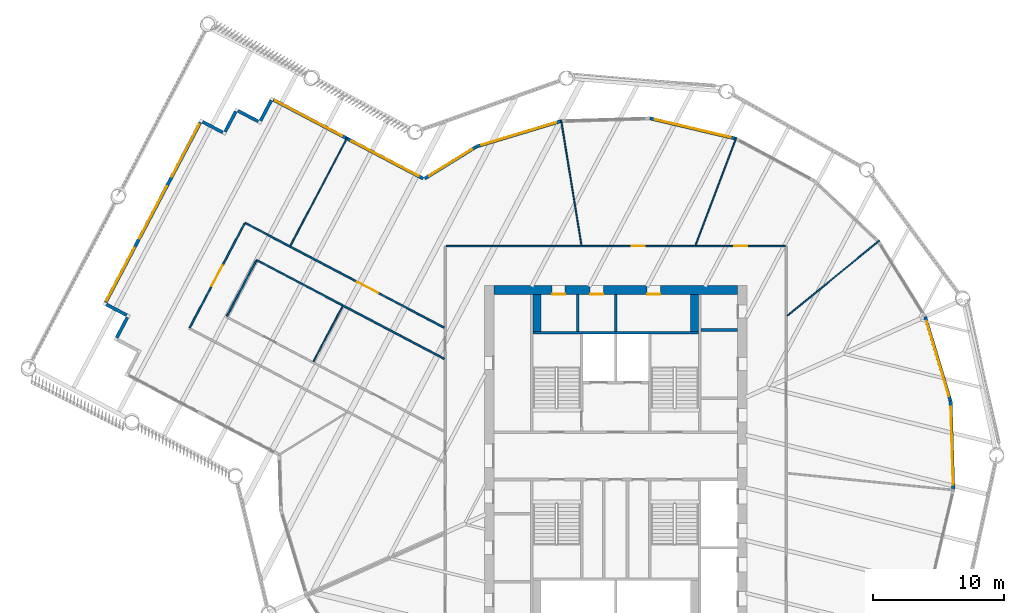
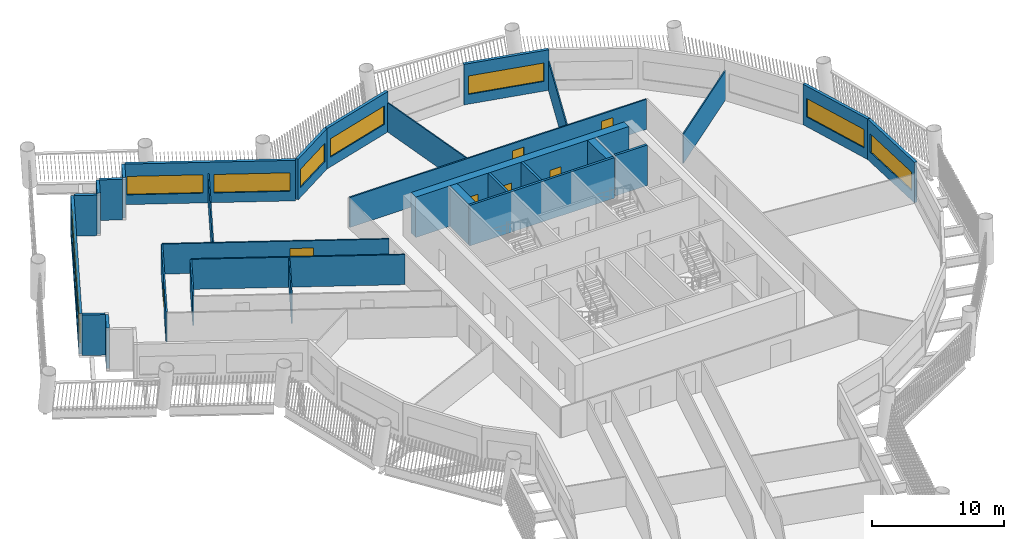
# One storey, part 6 of 15: 30 walls, 10 windows, 7 doors, 17 openings.
"""IFC4 building model written with IfcOpenShell, lengths in metres."""

from ifc_helpers import new_model, si_unit, direction, frame, frame_2d, origin, place, context, subcontext, project, spatial, rectangle, extrude, material, layer, layer_set, type_object, element, fill, save


model = new_model("IFC4")

# Units and contexts
model_context = context("Model", 3, precision=1e-05, world=origin(), true_north=direction((0.0, 1.0)))
body_context = subcontext(model_context, "Body", "Model", "MODEL_VIEW")
ifc_project = project(units=[si_unit("LENGTHUNIT", "METRE"), si_unit("AREAUNIT", "SQUARE_METRE"), si_unit("VOLUMEUNIT", "CUBIC_METRE"), si_unit("PLANEANGLEUNIT", "RADIAN"), si_unit("MASSUNIT", "GRAM", prefix="KILO")], contexts=[model_context])

# Site, building, storey
site_placement = place(None, origin())
site = spatial("IfcSite", under=ifc_project, at=site_placement, CompositionType="ELEMENT")
building_placement = place(site_placement, origin())
building = spatial("IfcBuilding", under=site, at=building_placement, Name="Tarsis Ring Headquarters", CompositionType="ELEMENT")
storey_placement = place(building_placement, frame((0.0, 0.0, 167.10009765625)))
storey = spatial("IfcBuildingStorey", under=building, at=storey_placement, Name="L38", CompositionType="ELEMENT", Elevation=167.10009765625)

# Walls
ifc_material_1 = material(Name="Blockwork", Category="masonry")
ifc_layer_1 = layer(ifc_material_1, 0.199951171875)
ifc_layer_set_1 = layer_set([ifc_layer_1], Name="Core blockwork wall 200")
wall_type_1 = type_object("IfcWallType", Name="Core blockwork wall 200", PredefinedType="PARTITIONING", material=ifc_layer_set_1)
for number, where, z_axis, x_axis, name in (
    (1, (6.5, 9.60009765625, 0.0), (0.0, 0.0, 1.0), (1.0, 0.0, 0.0), "Core partition ED7"),
    (2, (-2.89990234375, 9.5, 0.0), (0.0, 0.0, 1.0), (0.0, 1.0, 0.0), "Core partition ND1"),
    (3, (0.0, 9.5, 0.0), (0.0, 0.0, 1.0), (0.0, 1.0, 0.0), "Core partition ND2"),
):
    element("IfcWall", number, at=place(storey_placement, frame(where, z_axis=z_axis, x_axis=x_axis)), inside=storey, type_object=wall_type_1, Name=name, PredefinedType="PARTITIONING", context=body_context, shape_type="SweptSolid", body=[
        extrude(rectangle(XDim=2.800048828125, YDim=0.199951171875, at=frame_2d((1.39990234375, 0.0))), origin(), (0.0, 0.0, 1.0), 3.739990234375),
    ])

# Wall, openings, doors
ifc_material_2 = material(Name="Concrete C60/75", Category="concrete")
ifc_layer_2 = layer(ifc_material_2, 0.699951171875)
ifc_layer_set_2 = layer_set([ifc_layer_2], Name="Core wall 700 C60/75")
wall_type_2 = type_object("IfcWallType", Name="Core wall 700 C60/75", PredefinedType="SHEAR", material=ifc_layer_set_2)
wall_1_placement = place(storey_placement, frame((-9.300048828125, 12.64990234375, 0.0), z_axis=(0.0, 0.0, 1.0), x_axis=(1.0, 0.0, 0.0)))
wall_1 = element("IfcWall", 4, at=wall_1_placement, inside=storey, type_object=wall_type_2, Name="Core wall ON", PredefinedType="SHEAR", context=body_context, shape_type="SweptSolid", body=[
    extrude(rectangle(XDim=18.60009765625, YDim=0.699951171875, at=frame_2d((9.300048828125, 0.0))), origin(), (0.0, 0.0, 1.0), 3.739990234375),
])
opening_1_placement = place(wall_1_placement, frame((4.449951171875, 0.0, 0.0)))
opening_1 = element("IfcOpeningElement", 5, at=opening_1_placement, cuts=wall_1, Name="Opening L38-C14", PredefinedType="OPENING", context=body_context, shape_type="SweptSolid", body=[
    extrude(rectangle(XDim=1.0, YDim=2.10009765625, at=frame_2d((0.5, 1.050048828125))), frame((0.0, 0.35986328125, 0.0), z_axis=(0.0, -1.0, 0.0), x_axis=(1.0, 0.0, 0.0)), (0.0, 0.0, 1.0), 0.719970703125),
])
opening_2_placement = place(wall_1_placement, frame((7.35009765625, 0.0, 0.0)))
opening_2 = element("IfcOpeningElement", 6, at=opening_2_placement, cuts=wall_1, Name="Opening L38-C15", PredefinedType="OPENING", context=body_context, shape_type="SweptSolid", body=[
    extrude(rectangle(XDim=1.0, YDim=2.10009765625, at=frame_2d((0.5, 1.050048828125))), frame((0.0, 0.35986328125, 0.0), z_axis=(0.0, -1.0, 0.0), x_axis=(1.0, 0.0, 0.0)), (0.0, 0.0, 1.0), 0.719970703125),
])
opening_3_placement = place(wall_1_placement, frame((11.699951171875, 0.0, 0.0)))
opening_3 = element("IfcOpeningElement", 7, at=opening_3_placement, cuts=wall_1, Name="Opening L38-C16", PredefinedType="OPENING", context=body_context, shape_type="SweptSolid", body=[
    extrude(rectangle(XDim=1.0, YDim=2.10009765625, at=frame_2d((0.5, 1.050048828125))), frame((0.0, 0.35986328125, 0.0), z_axis=(0.0, -1.0, 0.0), x_axis=(1.0, 0.0, 0.0)), (0.0, 0.0, 1.0), 0.719970703125),
])
ifc_material_3 = material(Name="Steel S355", Category="steel")
door_type_1 = type_object("IfcDoorType", Name="Core room door 1000x2100", OperationType="SINGLE_SWING_LEFT", PredefinedType="DOOR", material=ifc_material_3)
door_1_placement = place(opening_1_placement, origin())
door_1 = element("IfcDoor", 8, at=door_1_placement, inside=storey, type_object=door_type_1, Name="Core room door L38", OperationType="SINGLE_SWING_LEFT", OverallHeight=2.10009765625, OverallWidth=1.0, PredefinedType="DOOR", context=body_context, shape_type="SweptSolid", body=[
    extrude(rectangle(XDim=1.0, YDim=2.10009765625, at=frame_2d((0.5, 1.050048828125))), frame((0.0, -0.2998046875, 0.0), z_axis=(0.0, -1.0, 0.0), x_axis=(1.0, 0.0, 0.0)), (0.0, 0.0, 1.0), 0.050048828125),
])
fill(opening_1, door_1)
door_2_placement = place(opening_2_placement, origin())
door_2 = element("IfcDoor", 9, at=door_2_placement, inside=storey, type_object=door_type_1, Name="Core room door L38", OperationType="SINGLE_SWING_LEFT", OverallHeight=2.10009765625, OverallWidth=1.0, PredefinedType="DOOR", context=body_context, shape_type="SweptSolid", body=[
    extrude(rectangle(XDim=1.0, YDim=2.10009765625, at=frame_2d((0.5, 1.050048828125))), frame((0.0, -0.2998046875, 0.0), z_axis=(0.0, -1.0, 0.0), x_axis=(1.0, 0.0, 0.0)), (0.0, 0.0, 1.0), 0.050048828125),
])
fill(opening_2, door_2)
door_3_placement = place(opening_3_placement, origin())
door_3 = element("IfcDoor", 10, at=door_3_placement, inside=storey, type_object=door_type_1, Name="Core room door L38", OperationType="SINGLE_SWING_LEFT", OverallHeight=2.10009765625, OverallWidth=1.0, PredefinedType="DOOR", context=body_context, shape_type="SweptSolid", body=[
    extrude(rectangle(XDim=1.0, YDim=2.10009765625, at=frame_2d((0.5, 1.050048828125))), frame((0.0, -0.2998046875, 0.0), z_axis=(0.0, -1.0, 0.0), x_axis=(1.0, 0.0, 0.0)), (0.0, 0.0, 1.0), 0.050048828125),
])
fill(opening_3, door_3)

# Walls
ifc_material_4 = material(Name="Gypsum board on steel studs", Category="steel")
ifc_layer_3 = layer(ifc_material_4, 0.10009765625)
ifc_layer_set_3 = layer_set([ifc_layer_3], Name="FL partition 100 unrated")
wall_type_3 = type_object("IfcWallType", Name="FL partition 100 unrated", PredefinedType="PARTITIONING", material=ifc_layer_set_3)
wall_2_placement = place(storey_placement, frame((-4.16650390625, 25.611083984375, 0.0), z_axis=(0.0, 0.0, 1.0), x_axis=(0.16058920883, -0.987021330067, 0.0)))
element("IfcWall", 11, at=wall_2_placement, inside=storey, type_object=wall_type_3, Name="Partition PW3", PredefinedType="PARTITIONING", context=body_context, shape_type="SweptSolid", body=[
    extrude(rectangle(XDim=9.66748046875, YDim=0.10009765625, at=frame_2d((4.833740234375, 0.0))), origin(), (0.0, 0.0, 1.0), 2.699951171875),
])
wall_3_placement = place(storey_placement, frame((-24.80908203125, 16.0302734375, 0.0), z_axis=(0.0, 0.0, 1.0), x_axis=(0.465777741831, 0.884901743254, 0.0)))
element("IfcWall", 12, at=wall_3_placement, inside=storey, type_object=wall_type_3, Name="Partition PW3", PredefinedType="PARTITIONING", context=body_context, shape_type="SweptSolid", body=[
    extrude(rectangle(XDim=9.320068359375, YDim=0.10009765625, at=frame_2d((4.66015625, 0.0))), origin(), (0.0, 0.0, 1.0), 2.699951171875),
])
wall_4_placement = place(storey_placement, frame((13.085205078125, 10.687255859375, 0.0), z_axis=(0.0, 0.0, 1.0), x_axis=(0.774503720395, 0.632569353584, 0.0)))
element("IfcWall", 13, at=wall_4_placement, inside=storey, type_object=wall_type_3, Name="Partition PW3", PredefinedType="PARTITIONING", context=body_context, shape_type="SweptSolid", body=[
    extrude(rectangle(XDim=9.052978515625, YDim=0.10009765625, at=frame_2d((4.5263671875, 0.0))), origin(), (0.0, 0.0, 1.0), 2.699951171875),
])
wall_5_placement = place(storey_placement, frame((6.093505859375, 16.07470703125, 0.0), z_axis=(0.0, 0.0, 1.0), x_axis=(0.354433187195, 0.935081341817, 0.0)))
element("IfcWall", 14, at=wall_5_placement, inside=storey, type_object=wall_type_3, Name="Partition PW3", PredefinedType="PARTITIONING", context=body_context, shape_type="SweptSolid", body=[
    extrude(rectangle(XDim=8.757080078125, YDim=0.10009765625, at=frame_2d((4.37841796875, 0.0))), origin(), (0.0, 0.0, 1.0), 2.699951171875),
])
wall_6_placement = place(storey_placement, frame((-23.052001953125, 7.195068359375, 0.0), z_axis=(0.0, 0.0, 1.0), x_axis=(0.465786598446, 0.884897081421, 0.0)))
element("IfcWall", 15, at=wall_6_placement, inside=storey, type_object=wall_type_3, Name="Partition PW3", PredefinedType="PARTITIONING", context=body_context, shape_type="SweptSolid", body=[
    extrude(rectangle(XDim=4.759765625, YDim=0.10009765625, at=frame_2d((2.3798828125, 0.0))), origin(), (0.0, 0.0, 1.0), 2.699951171875),
])

# Wall, openings, doors
ifc_layer_4 = layer(ifc_material_4, 0.125)
ifc_layer_set_4 = layer_set([ifc_layer_4], Name="FL partition 125 EI 60 H2770")
wall_type_4 = type_object("IfcWallType", Name="FL partition 125 EI 60 H2770", PredefinedType="PARTITIONING", material=ifc_layer_set_4)
wall_7_placement = place(storey_placement, frame((-12.93994140625, 16.0, 0.0), z_axis=(0.0, 0.0, 1.0), x_axis=(1.0, 0.0, 0.0)))
wall_7 = element("IfcWall", 16, at=wall_7_placement, inside=storey, type_object=wall_type_4, Name="Partition PW1", PredefinedType="PARTITIONING", context=body_context, shape_type="SweptSolid", body=[
    extrude(rectangle(XDim=25.8798828125, YDim=0.125, at=frame_2d((12.93994140625, 0.0))), origin(), (0.0, 0.0, 1.0), 2.77001953125),
])
opening_4_placement = place(wall_7_placement, frame((14.171142578125, 0.0, 0.0)))
opening_4 = element("IfcOpeningElement", 17, at=opening_4_placement, cuts=wall_7, Name="Opening D38.03", PredefinedType="OPENING", context=body_context, shape_type="SweptSolid", body=[
    extrude(rectangle(XDim=1.0, YDim=2.10009765625, at=frame_2d((0.5, 1.050048828125))), frame((0.0, 0.072509765625, 0.0), z_axis=(0.0, -1.0, 0.0), x_axis=(1.0, 0.0, 0.0)), (0.0, 0.0, 1.0), 0.14501953125),
])
opening_5_placement = place(wall_7_placement, frame((21.972412109375, 0.0, 0.0)))
opening_5 = element("IfcOpeningElement", 18, at=opening_5_placement, cuts=wall_7, Name="Opening D38.04", PredefinedType="OPENING", context=body_context, shape_type="SweptSolid", body=[
    extrude(rectangle(XDim=1.0, YDim=2.10009765625, at=frame_2d((0.5, 1.050048828125))), frame((0.0, 0.072509765625, 0.0), z_axis=(0.0, -1.0, 0.0), x_axis=(1.0, 0.0, 0.0)), (0.0, 0.0, 1.0), 0.14501953125),
])
ifc_material_5 = material(Name="Fire-rated timber door leaf in steel frame", Category="steel")
door_type_2 = type_object("IfcDoorType", Name="FL door FD60-1000", OperationType="NOTDEFINED", PredefinedType="DOOR", material=ifc_material_5)
door_4_placement = place(opening_4_placement, origin())
door_4 = element("IfcDoor", 19, at=door_4_placement, inside=storey, type_object=door_type_2, Name="Door D38.03", OperationType="SINGLE_SWING_LEFT", OverallHeight=2.10009765625, OverallWidth=1.0, PredefinedType="DOOR", context=body_context, shape_type="SweptSolid", body=[
    extrude(rectangle(XDim=1.0, YDim=2.10009765625, at=frame_2d((0.5, 1.050048828125))), frame((0.0, 0.02490234375, 0.0), z_axis=(0.0, -1.0, 0.0), x_axis=(1.0, 0.0, 0.0)), (0.0, 0.0, 1.0), 0.050048828125),
])
fill(opening_4, door_4)
door_5_placement = place(opening_5_placement, origin())
door_5 = element("IfcDoor", 20, at=door_5_placement, inside=storey, type_object=door_type_2, Name="Door D38.04", OperationType="SINGLE_SWING_RIGHT", OverallHeight=2.10009765625, OverallWidth=1.0, PredefinedType="DOOR", context=body_context, shape_type="SweptSolid", body=[
    extrude(rectangle(XDim=1.0, YDim=2.10009765625, at=frame_2d((0.5, 1.050048828125))), frame((0.0, 0.02490234375, 0.0), z_axis=(0.0, -1.0, 0.0), x_axis=(1.0, 0.0, 0.0)), (0.0, 0.0, 1.0), 0.050048828125),
])
fill(opening_5, door_5)

# Wall, opening, door
wall_8_placement = place(storey_placement, frame((-28.27490234375, 17.775390625, 0.0), z_axis=(0.0, 0.0, 1.0), x_axis=(0.884905885725, -0.465769871728, 0.0)))
wall_8 = element("IfcWall", 21, at=wall_8_placement, inside=storey, type_object=wall_type_4, Name="Partition PW1", PredefinedType="PARTITIONING", context=body_context, shape_type="SweptSolid", body=[
    extrude(rectangle(XDim=17.171630859375, YDim=0.125, at=frame_2d((8.5859375, 0.0))), origin(), (0.0, 0.0, 1.0), 2.77001953125),
])
opening_6_placement = place(wall_8_placement, frame((9.668701171875, 0.0, 0.0)))
opening_6 = element("IfcOpeningElement", 22, at=opening_6_placement, cuts=wall_8, Name="Opening D38.02", PredefinedType="OPENING", context=body_context, shape_type="SweptSolid", body=[
    extrude(rectangle(XDim=1.800048828125, YDim=2.10009765625, at=frame_2d((0.89990234375, 1.050048828125))), frame((0.0, 0.072509765625, 0.0), z_axis=(0.0, -1.0, 0.0), x_axis=(1.0, 0.0, 0.0)), (0.0, 0.0, 1.0), 0.14501953125),
])
door_type_3 = type_object("IfcDoorType", Name="FL door FD60-1800", OperationType="DOUBLE_DOOR_SINGLE_SWING", PredefinedType="DOOR", material=ifc_material_5)
door_6_placement = place(opening_6_placement, origin())
door_6 = element("IfcDoor", 23, at=door_6_placement, inside=storey, type_object=door_type_3, Name="Door D38.02", OperationType="DOUBLE_DOOR_SINGLE_SWING", OverallHeight=2.10009765625, OverallWidth=1.800048828125, PredefinedType="DOOR", context=body_context, shape_type="SweptSolid", body=[
    extrude(rectangle(XDim=1.800048828125, YDim=2.10009765625, at=frame_2d((0.89990234375, 1.050048828125))), frame((0.0, 0.02490234375, 0.0), z_axis=(0.0, -1.0, 0.0), x_axis=(1.0, 0.0, 0.0)), (0.0, 0.0, 1.0), 0.050048828125),
])
fill(opening_6, door_6)

# Wall
wall_9_placement = place(storey_placement, frame((-27.394775390625, 14.93896484375, 0.0), z_axis=(0.0, 0.0, 1.0), x_axis=(0.88490905581, -0.465763848903, 0.0)))
element("IfcWall", 24, at=wall_9_placement, inside=storey, type_object=wall_type_4, Name="Partition PW1", PredefinedType="PARTITIONING", context=body_context, shape_type="SweptSolid", body=[
    extrude(rectangle(XDim=16.177001953125, YDim=0.125, at=frame_2d((8.08837890625, 0.0))), origin(), (0.0, 0.0, 1.0), 2.77001953125),
])

# Wall, opening, door
wall_10_placement = place(storey_placement, frame((-32.485595703125, 9.77587890625, 0.0), z_axis=(0.0, 0.0, 1.0), x_axis=(0.465766601762, 0.884907606862, 0.0)))
wall_10 = element("IfcWall", 25, at=wall_10_placement, inside=storey, type_object=wall_type_4, Name="Partition PW1", PredefinedType="PARTITIONING", context=body_context, shape_type="SweptSolid", body=[
    extrude(rectangle(XDim=8.97998046875, YDim=0.125, at=frame_2d((4.489990234375, 0.0))), origin(), (0.0, 0.0, 1.0), 2.77001953125),
])
opening_7_placement = place(wall_10_placement, frame((3.590087890625, 0.0, 0.0)))
opening_7 = element("IfcOpeningElement", 26, at=opening_7_placement, cuts=wall_10, Name="Opening D38.01", PredefinedType="OPENING", context=body_context, shape_type="SweptSolid", body=[
    extrude(rectangle(XDim=1.800048828125, YDim=2.10009765625, at=frame_2d((0.89990234375, 1.050048828125))), frame((0.0, 0.072509765625, 0.0), z_axis=(0.0, -1.0, 0.0), x_axis=(1.0, 0.0, 0.0)), (0.0, 0.0, 1.0), 0.14501953125),
])
door_7_placement = place(opening_7_placement, origin())
door_7 = element("IfcDoor", 27, at=door_7_placement, inside=storey, type_object=door_type_3, Name="Door D38.01", OperationType="DOUBLE_DOOR_SINGLE_SWING", OverallHeight=2.10009765625, OverallWidth=1.800048828125, PredefinedType="DOOR", context=body_context, shape_type="SweptSolid", body=[
    extrude(rectangle(XDim=1.800048828125, YDim=2.10009765625, at=frame_2d((0.89990234375, 1.050048828125))), frame((0.0, 0.02490234375, 0.0), z_axis=(0.0, -1.0, 0.0), x_axis=(1.0, 0.0, 0.0)), (0.0, 0.0, 1.0), 0.050048828125),
])
fill(opening_7, door_7)

# Wall
wall_11_placement = place(storey_placement, frame((-29.649169921875, 10.656005859375, 0.0), z_axis=(0.0, 0.0, 1.0), x_axis=(0.465748537855, 0.884917114472, 0.0)))
element("IfcWall", 28, at=wall_11_placement, inside=storey, type_object=wall_type_4, Name="Partition PW1", PredefinedType="PARTITIONING", context=body_context, shape_type="SweptSolid", body=[
    extrude(rectangle(XDim=4.780029296875, YDim=0.125, at=frame_2d((2.39013671875, 0.0))), origin(), (0.0, 0.0, 1.0), 2.77001953125),
])

# Wall, opening, window
ifc_material_6 = material(Name="Terracotta clad insulated panel wall", Category="masonry")
ifc_layer_5 = layer(ifc_material_6, 0.25)
ifc_layer_set_5 = layer_set([ifc_layer_5], Name="Facade wall terracotta panel 250")
wall_type_5 = type_object("IfcWallType", Name="Facade wall terracotta panel 250", PredefinedType="STANDARD", material=ifc_layer_set_5)
wall_12_placement = place(storey_placement, frame((25.74267578125, -2.580322265625, 0.0), z_axis=(0.0, 0.0, 1.0), x_axis=(-0.030365002405, 0.999538876997, 0.0)))
wall_12 = element("IfcWall", 29, at=wall_12_placement, inside=storey, type_object=wall_type_5, Name="External wall L38-22", PredefinedType="STANDARD", context=body_context, shape_type="SweptSolid", body=[
    extrude(rectangle(XDim=6.7216796875, YDim=0.25, at=frame_2d((3.36083984375, 0.0))), origin(), (0.0, 0.0, 1.0), 3.739990234375),
])
opening_8_placement = place(wall_12_placement, frame((0.3857421875, 0.0, 0.89990234375)))
opening_8 = element("IfcOpeningElement", 30, at=opening_8_placement, cuts=wall_12, Name="Opening WN07", PredefinedType="OPENING", context=body_context, shape_type="SweptSolid", body=[
    extrude(rectangle(XDim=5.949951171875, YDim=1.699951171875, at=frame_2d((2.97509765625, 0.85009765625))), frame((0.0, 0.135009765625, 0.0), z_axis=(0.0, -1.0, 0.0), x_axis=(1.0, 0.0, 0.0)), (0.0, 0.0, 1.0), 0.27001953125),
])
ifc_material_7 = material(Name="Aluminium framed double glazing", Category="aluminium")
window_type_1 = type_object("IfcWindowType", Name="Facade window 5950 x 1700", PartitioningType="SINGLE_PANEL", PredefinedType="WINDOW", material=ifc_material_7)
window_1_placement = place(opening_8_placement, origin())
window_1 = element("IfcWindow", 31, at=window_1_placement, inside=storey, type_object=window_type_1, Name="Window L38-22.1", OverallHeight=1.699951171875, OverallWidth=5.949951171875, PartitioningType="SINGLE_PANEL", PredefinedType="WINDOW", context=body_context, shape_type="SweptSolid", body=[
    extrude(rectangle(XDim=5.949951171875, YDim=1.699951171875, at=frame_2d((2.97509765625, 0.85009765625))), frame((0.0, 0.030029296875, 0.0), z_axis=(0.0, -1.0, 0.0), x_axis=(1.0, 0.0, 0.0)), (0.0, 0.0, 1.0), 0.06005859375),
])
fill(opening_8, window_1)

wall_13_placement = place(storey_placement, frame((25.533447265625, 4.17041015625, 0.0), z_axis=(0.0, 0.0, 1.0), x_axis=(-0.288040945405, 0.957618093903, 0.0)))
wall_13 = element("IfcWall", 32, at=wall_13_placement, inside=storey, type_object=wall_type_5, Name="External wall L38-23", PredefinedType="STANDARD", context=body_context, shape_type="SweptSolid", body=[
    extrude(rectangle(XDim=6.721435546875, YDim=0.25, at=frame_2d((3.36083984375, 0.0))), origin(), (0.0, 0.0, 1.0), 3.739990234375),
])
opening_9_placement = place(wall_13_placement, frame((0.3857421875, 0.0, 0.89990234375)))
opening_9 = element("IfcOpeningElement", 33, at=opening_9_placement, cuts=wall_13, Name="Opening WN07", PredefinedType="OPENING", context=body_context, shape_type="SweptSolid", body=[
    extrude(rectangle(XDim=5.949951171875, YDim=1.699951171875, at=frame_2d((2.97509765625, 0.85009765625))), frame((0.0, 0.135009765625, 0.0), z_axis=(0.0, -1.0, 0.0), x_axis=(1.0, 0.0, 0.0)), (0.0, 0.0, 1.0), 0.27001953125),
])
window_2_placement = place(opening_9_placement, origin())
window_2 = element("IfcWindow", 34, at=window_2_placement, inside=storey, type_object=window_type_1, Name="Window L38-23.1", OverallHeight=1.699951171875, OverallWidth=5.949951171875, PartitioningType="SINGLE_PANEL", PredefinedType="WINDOW", context=body_context, shape_type="SweptSolid", body=[
    extrude(rectangle(XDim=5.949951171875, YDim=1.699951171875, at=frame_2d((2.97509765625, 0.85009765625))), frame((0.0, 0.030029296875, 0.0), z_axis=(0.0, -1.0, 0.0), x_axis=(1.0, 0.0, 0.0)), (0.0, 0.0, 1.0), 0.06005859375),
])
fill(opening_9, window_2)

wall_14_placement = place(storey_placement, frame((9.155029296875, 24.19775390625, 0.0), z_axis=(0.0, 0.0, 1.0), x_axis=(-0.9733375571, 0.22937741811, 0.0)))
wall_14 = element("IfcWall", 35, at=wall_14_placement, inside=storey, type_object=wall_type_5, Name="External wall L38-27", PredefinedType="STANDARD", context=body_context, shape_type="SweptSolid", body=[
    extrude(rectangle(XDim=6.721435546875, YDim=0.25, at=frame_2d((3.36083984375, 0.0))), origin(), (0.0, 0.0, 1.0), 3.739990234375),
])
opening_10_placement = place(wall_14_placement, frame((0.3857421875, 0.0, 0.89990234375)))
opening_10 = element("IfcOpeningElement", 36, at=opening_10_placement, cuts=wall_14, Name="Opening WN07", PredefinedType="OPENING", context=body_context, shape_type="SweptSolid", body=[
    extrude(rectangle(XDim=5.949951171875, YDim=1.699951171875, at=frame_2d((2.97509765625, 0.85009765625))), frame((0.0, 0.135009765625, 0.0), z_axis=(0.0, -1.0, 0.0), x_axis=(1.0, 0.0, 0.0)), (0.0, 0.0, 1.0), 0.27001953125),
])
window_3_placement = place(opening_10_placement, origin())
window_3 = element("IfcWindow", 37, at=window_3_placement, inside=storey, type_object=window_type_1, Name="Window L38-27.1", OverallHeight=1.699951171875, OverallWidth=5.949951171875, PartitioningType="SINGLE_PANEL", PredefinedType="WINDOW", context=body_context, shape_type="SweptSolid", body=[
    extrude(rectangle(XDim=5.949951171875, YDim=1.699951171875, at=frame_2d((2.97509765625, 0.85009765625))), frame((0.0, 0.030029296875, 0.0), z_axis=(0.0, -1.0, 0.0), x_axis=(1.0, 0.0, 0.0)), (0.0, 0.0, 1.0), 0.06005859375),
])
fill(opening_10, window_3)

wall_15_placement = place(storey_placement, frame((-4.17041015625, 25.533447265625, 0.0), z_axis=(0.0, 0.0, 1.0), x_axis=(-0.957618093903, -0.288040945405, 0.0)))
wall_15 = element("IfcWall", 38, at=wall_15_placement, inside=storey, type_object=wall_type_5, Name="External wall L38-29", PredefinedType="STANDARD", context=body_context, shape_type="SweptSolid", body=[
    extrude(rectangle(XDim=6.721435546875, YDim=0.25, at=frame_2d((3.36083984375, 0.0))), origin(), (0.0, 0.0, 1.0), 3.739990234375),
])
opening_11_placement = place(wall_15_placement, frame((0.3857421875, 0.0, 0.89990234375)))
opening_11 = element("IfcOpeningElement", 39, at=opening_11_placement, cuts=wall_15, Name="Opening WN07", PredefinedType="OPENING", context=body_context, shape_type="SweptSolid", body=[
    extrude(rectangle(XDim=5.949951171875, YDim=1.699951171875, at=frame_2d((2.97509765625, 0.85009765625))), frame((0.0, 0.135009765625, 0.0), z_axis=(0.0, -1.0, 0.0), x_axis=(1.0, 0.0, 0.0)), (0.0, 0.0, 1.0), 0.27001953125),
])
window_4_placement = place(opening_11_placement, origin())
window_4 = element("IfcWindow", 40, at=window_4_placement, inside=storey, type_object=window_type_1, Name="Window L38-29.1", OverallHeight=1.699951171875, OverallWidth=5.949951171875, PartitioningType="SINGLE_PANEL", PredefinedType="WINDOW", context=body_context, shape_type="SweptSolid", body=[
    extrude(rectangle(XDim=5.949951171875, YDim=1.699951171875, at=frame_2d((2.97509765625, 0.85009765625))), frame((0.0, 0.030029296875, 0.0), z_axis=(0.0, -1.0, 0.0), x_axis=(1.0, 0.0, 0.0)), (0.0, 0.0, 1.0), 0.06005859375),
])
fill(opening_11, window_4)

wall_16_placement = place(storey_placement, frame((-10.63671875, 23.583984375, 0.0), z_axis=(0.0, 0.0, 1.0), x_axis=(-0.850454380872, -0.526048805774, 0.0)))
wall_16 = element("IfcWall", 41, at=wall_16_placement, inside=storey, type_object=wall_type_5, Name="External wall L38-30", PredefinedType="STANDARD", context=body_context, shape_type="SweptSolid", body=[
    extrude(rectangle(XDim=4.617919921875, YDim=0.25, at=frame_2d((2.30908203125, 0.0))), origin(), (0.0, 0.0, 1.0), 3.739990234375),
])
opening_12_placement = place(wall_16_placement, frame((0.367431640625, 0.0, 0.89990234375)))
opening_12 = element("IfcOpeningElement", 42, at=opening_12_placement, cuts=wall_16, Name="Opening WN02", PredefinedType="OPENING", context=body_context, shape_type="SweptSolid", body=[
    extrude(rectangle(XDim=3.85009765625, YDim=1.699951171875, at=frame_2d((1.925048828125, 0.85009765625))), frame((0.0, 0.135009765625, 0.0), z_axis=(0.0, -1.0, 0.0), x_axis=(1.0, 0.0, 0.0)), (0.0, 0.0, 1.0), 0.27001953125),
])
window_type_2 = type_object("IfcWindowType", Name="Facade window 3850 x 1700", PartitioningType="SINGLE_PANEL", PredefinedType="WINDOW", material=ifc_material_7)
window_5_placement = place(opening_12_placement, origin())
window_5 = element("IfcWindow", 43, at=window_5_placement, inside=storey, type_object=window_type_2, Name="Window L38-30.1", OverallHeight=1.699951171875, OverallWidth=3.85009765625, PartitioningType="SINGLE_PANEL", PredefinedType="WINDOW", context=body_context, shape_type="SweptSolid", body=[
    extrude(rectangle(XDim=3.85009765625, YDim=1.699951171875, at=frame_2d((1.925048828125, 0.85009765625))), frame((0.0, 0.030029296875, 0.0), z_axis=(0.0, -1.0, 0.0), x_axis=(1.0, 0.0, 0.0)), (0.0, 0.0, 1.0), 0.06005859375),
])
fill(opening_12, window_5)

# Wall, openings, windows
wall_17_placement = place(storey_placement, frame((-14.68798828125, 21.150390625, 0.0), z_axis=(0.0, 0.0, 1.0), x_axis=(-0.884907138873, 0.465767490892, 0.0)))
wall_17 = element("IfcWall", 44, at=wall_17_placement, inside=storey, type_object=wall_type_5, Name="External wall L38-31", PredefinedType="STANDARD", context=body_context, shape_type="SweptSolid", body=[
    extrude(rectangle(XDim=12.9013671875, YDim=0.25, at=frame_2d((6.45068359375, 0.0))), origin(), (0.0, 0.0, 1.0), 3.739990234375),
])
opening_13_placement = place(wall_17_placement, frame((0.412841796875, 0.0, 0.89990234375)))
opening_13 = element("IfcOpeningElement", 45, at=opening_13_placement, cuts=wall_17, Name="Opening WN06", PredefinedType="OPENING", context=body_context, shape_type="SweptSolid", body=[
    extrude(rectangle(XDim=5.75, YDim=1.699951171875, at=frame_2d((2.875, 0.85009765625))), frame((0.0, 0.135009765625, 0.0), z_axis=(0.0, -1.0, 0.0), x_axis=(1.0, 0.0, 0.0)), (0.0, 0.0, 1.0), 0.27001953125),
])
opening_14_placement = place(wall_17_placement, frame((6.988525390625, 0.0, 0.89990234375)))
opening_14 = element("IfcOpeningElement", 46, at=opening_14_placement, cuts=wall_17, Name="Opening WN06", PredefinedType="OPENING", context=body_context, shape_type="SweptSolid", body=[
    extrude(rectangle(XDim=5.75, YDim=1.699951171875, at=frame_2d((2.875, 0.85009765625))), frame((0.0, 0.135009765625, 0.0), z_axis=(0.0, -1.0, 0.0), x_axis=(1.0, 0.0, 0.0)), (0.0, 0.0, 1.0), 0.27001953125),
])
window_type_3 = type_object("IfcWindowType", Name="Facade window 5750 x 1700", PartitioningType="SINGLE_PANEL", PredefinedType="WINDOW", material=ifc_material_7)
window_6_placement = place(opening_13_placement, origin())
window_6 = element("IfcWindow", 47, at=window_6_placement, inside=storey, type_object=window_type_3, Name="Window L38-31.1", OverallHeight=1.699951171875, OverallWidth=5.75, PartitioningType="SINGLE_PANEL", PredefinedType="WINDOW", context=body_context, shape_type="SweptSolid", body=[
    extrude(rectangle(XDim=5.75, YDim=1.699951171875, at=frame_2d((2.875, 0.85009765625))), frame((0.0, 0.030029296875, 0.0), z_axis=(0.0, -1.0, 0.0), x_axis=(1.0, 0.0, 0.0)), (0.0, 0.0, 1.0), 0.06005859375),
])
fill(opening_13, window_6)
window_7_placement = place(opening_14_placement, origin())
window_7 = element("IfcWindow", 48, at=window_7_placement, inside=storey, type_object=window_type_3, Name="Window L38-31.2", OverallHeight=1.699951171875, OverallWidth=5.75, PartitioningType="SINGLE_PANEL", PredefinedType="WINDOW", context=body_context, shape_type="SweptSolid", body=[
    extrude(rectangle(XDim=5.75, YDim=1.699951171875, at=frame_2d((2.875, 0.85009765625))), frame((0.0, 0.030029296875, 0.0), z_axis=(0.0, -1.0, 0.0), x_axis=(1.0, 0.0, 0.0)), (0.0, 0.0, 1.0), 0.06005859375),
])
fill(opening_14, window_7)

# Walls
for number, where, z_axis, x_axis, name in (
    (49, (-26.273193359375, 27.107177734375, 0.0), (0.0, 0.0, 1.0), (-0.465809678282, -0.884884932417, 0.0), "External wall L38-32"),
    (50, (-27.257080078125, 25.506103515625, 0.0), (0.0, 0.0, 1.0), (-0.884884932417, 0.465809678282, 0.0), "External wall L38-33"),
    (51, (-28.974609375, 26.268798828125, 0.0), (0.0, 0.0, 1.0), (-0.465809678282, -0.884884932417, 0.0), "External wall L38-34"),
    (52, (-29.95849609375, 24.66796875, 0.0), (0.0, 0.0, 1.0), (-0.884942431999, 0.465700431659, 0.0), "External wall L38-35"),
):
    element("IfcWall", number, at=place(storey_placement, frame(where, z_axis=z_axis, x_axis=x_axis)), inside=storey, type_object=wall_type_5, Name=name, PredefinedType="STANDARD", context=body_context, shape_type="SweptSolid", body=[
        extrude(rectangle(XDim=1.75, YDim=0.25, at=frame_2d((0.875, 0.0))), origin(), (0.0, 0.0, 1.0), 3.739990234375),
    ])

# Wall, openings, windows
wall_18_placement = place(storey_placement, frame((-31.676025390625, 25.4306640625, 0.0), z_axis=(0.0, 0.0, 1.0), x_axis=(-0.465759416319, -0.884911388847, 0.0)))
wall_18 = element("IfcWall", 53, at=wall_18_placement, inside=storey, type_object=wall_type_5, Name="External wall L38-36", PredefinedType="STANDARD", context=body_context, shape_type="SweptSolid", body=[
    extrude(rectangle(XDim=15.5, YDim=0.25, at=frame_2d((7.75, 0.0))), origin(), (0.0, 0.0, 1.0), 3.739990234375),
])
opening_15_placement = place(wall_18_placement, frame((0.166748046875, 0.0, 0.89990234375)))
opening_15 = element("IfcOpeningElement", 54, at=opening_15_placement, cuts=wall_18, Name="Opening WN04", PredefinedType="OPENING", context=body_context, shape_type="SweptSolid", body=[
    extrude(rectangle(XDim=4.5, YDim=1.699951171875, at=frame_2d((2.25, 0.85009765625))), frame((0.0, 0.135009765625, 0.0), z_axis=(0.0, -1.0, 0.0), x_axis=(1.0, 0.0, 0.0)), (0.0, 0.0, 1.0), 0.27001953125),
])
opening_16_placement = place(wall_18_placement, frame((5.5, 0.0, 0.89990234375)))
opening_16 = element("IfcOpeningElement", 55, at=opening_16_placement, cuts=wall_18, Name="Opening WN04", PredefinedType="OPENING", context=body_context, shape_type="SweptSolid", body=[
    extrude(rectangle(XDim=4.5, YDim=1.699951171875, at=frame_2d((2.25, 0.85009765625))), frame((0.0, 0.135009765625, 0.0), z_axis=(0.0, -1.0, 0.0), x_axis=(1.0, 0.0, 0.0)), (0.0, 0.0, 1.0), 0.27001953125),
])
opening_17_placement = place(wall_18_placement, frame((10.833251953125, 0.0, 0.89990234375)))
opening_17 = element("IfcOpeningElement", 56, at=opening_17_placement, cuts=wall_18, Name="Opening WN04", PredefinedType="OPENING", context=body_context, shape_type="SweptSolid", body=[
    extrude(rectangle(XDim=4.5, YDim=1.699951171875, at=frame_2d((2.25, 0.85009765625))), frame((0.0, 0.135009765625, 0.0), z_axis=(0.0, -1.0, 0.0), x_axis=(1.0, 0.0, 0.0)), (0.0, 0.0, 1.0), 0.27001953125),
])
window_type_4 = type_object("IfcWindowType", Name="Facade window 4500 x 1700", PartitioningType="SINGLE_PANEL", PredefinedType="WINDOW", material=ifc_material_7)
window_8_placement = place(opening_15_placement, origin())
window_8 = element("IfcWindow", 57, at=window_8_placement, inside=storey, type_object=window_type_4, Name="Window L38-36.1", OverallHeight=1.699951171875, OverallWidth=4.5, PartitioningType="SINGLE_PANEL", PredefinedType="WINDOW", context=body_context, shape_type="SweptSolid", body=[
    extrude(rectangle(XDim=4.5, YDim=1.699951171875, at=frame_2d((2.25, 0.85009765625))), frame((0.0, 0.030029296875, 0.0), z_axis=(0.0, -1.0, 0.0), x_axis=(1.0, 0.0, 0.0)), (0.0, 0.0, 1.0), 0.06005859375),
])
fill(opening_15, window_8)
window_9_placement = place(opening_16_placement, origin())
window_9 = element("IfcWindow", 58, at=window_9_placement, inside=storey, type_object=window_type_4, Name="Window L38-36.2", OverallHeight=1.699951171875, OverallWidth=4.5, PartitioningType="SINGLE_PANEL", PredefinedType="WINDOW", context=body_context, shape_type="SweptSolid", body=[
    extrude(rectangle(XDim=4.5, YDim=1.699951171875, at=frame_2d((2.25, 0.85009765625))), frame((0.0, 0.030029296875, 0.0), z_axis=(0.0, -1.0, 0.0), x_axis=(1.0, 0.0, 0.0)), (0.0, 0.0, 1.0), 0.06005859375),
])
fill(opening_16, window_9)
window_10_placement = place(opening_17_placement, origin())
window_10 = element("IfcWindow", 59, at=window_10_placement, inside=storey, type_object=window_type_4, Name="Window L38-36.3", OverallHeight=1.699951171875, OverallWidth=4.5, PartitioningType="SINGLE_PANEL", PredefinedType="WINDOW", context=body_context, shape_type="SweptSolid", body=[
    extrude(rectangle(XDim=4.5, YDim=1.699951171875, at=frame_2d((2.25, 0.85009765625))), frame((0.0, 0.030029296875, 0.0), z_axis=(0.0, -1.0, 0.0), x_axis=(1.0, 0.0, 0.0)), (0.0, 0.0, 1.0), 0.06005859375),
])
fill(opening_17, window_10)

# Walls
for number, where, z_axis, x_axis, name in (
    (60, (-38.843017578125, 11.545654296875, 0.0), (0.0, 0.0, 1.0), (0.884884932417, -0.465809678282, 0.0), "External wall L38-37"),
    (61, (-37.241943359375, 10.561767578125, 0.0), (0.0, 0.0, 1.0), (-0.465809678282, -0.884884932417, 0.0), "External wall L38-38"),
):
    element("IfcWall", number, at=place(storey_placement, frame(where, z_axis=z_axis, x_axis=x_axis)), inside=storey, type_object=wall_type_5, Name=name, PredefinedType="STANDARD", context=body_context, shape_type="SweptSolid", body=[
        extrude(rectangle(XDim=1.75, YDim=0.25, at=frame_2d((0.875, 0.0))), origin(), (0.0, 0.0, 1.0), 3.739990234375),
    ])
ifc_material_8 = material(Name="Concrete C32/40", Category="concrete")
ifc_layer_6 = layer(ifc_material_8, 0.60009765625)
ifc_layer_set_6 = layer_set([ifc_layer_6], Name="Shaft end wall 600 C32/40")
wall_type_6 = type_object("IfcWallType", Name="Shaft end wall 600 C32/40", PredefinedType="SOLIDWALL", material=ifc_layer_set_6)
for number, where, z_axis, x_axis, name in (
    (62, (-6.0, 9.5, 0.0), (0.0, 0.0, 1.0), (0.0, 1.0, 0.0), "Core shaft wall NNE1"),
    (63, (6.0, 9.5, 0.0), (0.0, 0.0, 1.0), (0.0, 1.0, 0.0), "Core shaft wall NNE2"),
):
    element("IfcWall", number, at=place(storey_placement, frame(where, z_axis=z_axis, x_axis=x_axis)), inside=storey, type_object=wall_type_6, Name=name, PredefinedType="SOLIDWALL", context=body_context, shape_type="SweptSolid", body=[
        extrude(rectangle(XDim=2.800048828125, YDim=0.60009765625, at=frame_2d((1.39990234375, 0.0))), origin(), (0.0, 0.0, 1.0), 3.739990234375),
    ])
ifc_layer_7 = layer(ifc_material_8, 0.199951171875)
ifc_layer_set_7 = layer_set([ifc_layer_7], Name="Shaft wall 200 C32/40")
wall_type_7 = type_object("IfcWallType", Name="Shaft wall 200 C32/40", PredefinedType="SOLIDWALL", material=ifc_layer_set_7)
wall_19_placement = place(storey_placement, frame((-6.300048828125, 9.39990234375, 0.0), z_axis=(0.0, 0.0, 1.0), x_axis=(1.0, 0.0, 0.0)))
element("IfcWall", 64, at=wall_19_placement, inside=storey, type_object=wall_type_7, Name="Core shaft wall NB", PredefinedType="SOLIDWALL", context=body_context, shape_type="SweptSolid", body=[
    extrude(rectangle(XDim=12.60009765625, YDim=0.199951171875, at=frame_2d((6.300048828125, 0.0))), origin(), (0.0, 0.0, 1.0), 3.739990234375),
])

save(model, "model.ifc")
